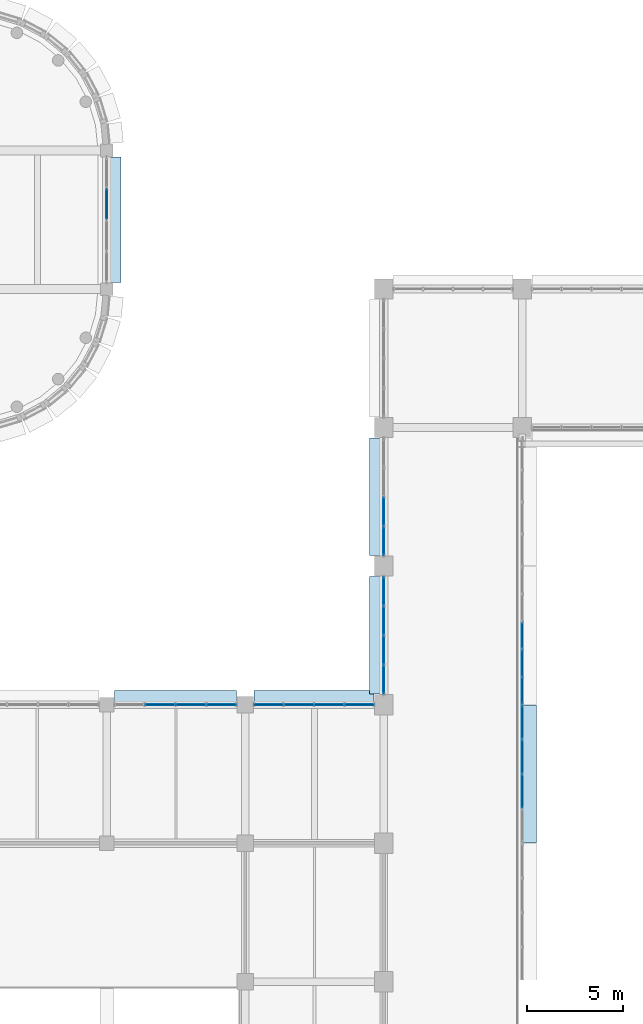
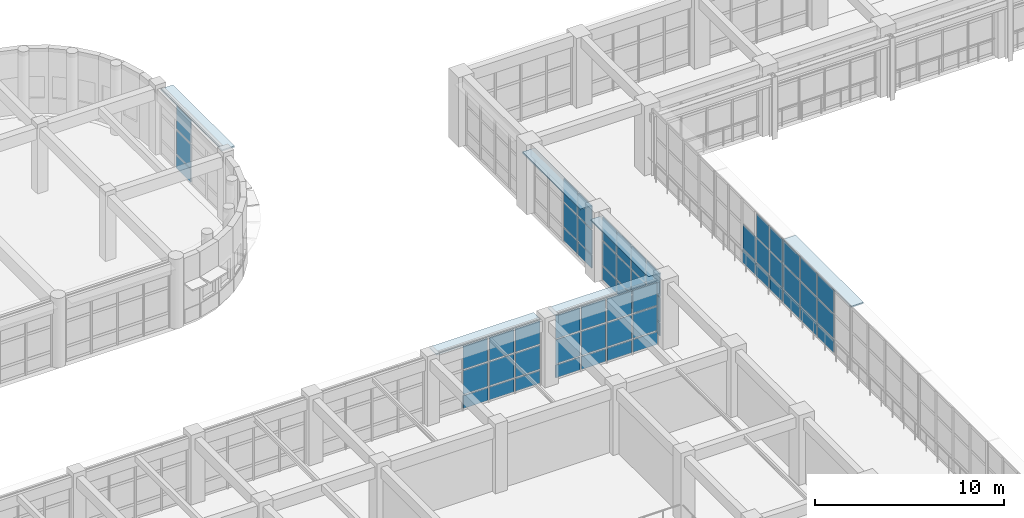
# One storey, part 126 of 171: 65 plates, 7 elements without a shape of their own.
"""IFC4 building model written with IfcOpenShell, lengths in metres."""

from ifc_helpers import new_model, si_unit, direction, frame, origin, origin_2d, place, context, subcontext, project, spatial, rectangle, extrude, material, layer, layer_set, type_object, element, aggregate, save


model = new_model("IFC4")

# Units and contexts
model_context = context("Model", 3, precision=1e-05, world=origin(), true_north=direction((0.0, 1.0)))
body_context = subcontext(model_context, "Body", "Model", "MODEL_VIEW")
ifc_project = project(units=[si_unit("LENGTHUNIT", "METRE"), si_unit("AREAUNIT", "SQUARE_METRE"), si_unit("VOLUMEUNIT", "CUBIC_METRE"), si_unit("PLANEANGLEUNIT", "RADIAN"), si_unit("MASSUNIT", "GRAM", prefix="KILO")], contexts=[model_context])

# Site, building, storey
site_placement = place(None, origin())
site = spatial("IfcSite", under=ifc_project, at=site_placement, CompositionType="ELEMENT")
building_placement = place(site_placement, origin())
building = spatial("IfcBuilding", under=site, at=building_placement, Name="Thalmaran Polytechnic", CompositionType="ELEMENT")
storey_placement = place(building_placement, frame((0.0, 0.0, 5.39990234375)))
storey = spatial("IfcBuildingStorey", under=building, at=storey_placement, Name="L01", CompositionType="ELEMENT", Elevation=5.39990234375)

# Plates
ifc_material_1 = material(Name="Anodised aluminium sun-hood eyebrow", Category="aluminium")
ifc_layer_1 = layer(ifc_material_1, 0.0849609375, Name="Anodised aluminium sun-hood eyebrow")
ifc_layer_set_1 = layer_set([ifc_layer_1], Name="Anodised aluminium sun-hood eyebrow")
plate_type_1 = type_object("IfcPlateType", Name="PT-EB01", PredefinedType="SHEET", material=ifc_layer_set_1)
plate_1_placement = place(storey_placement, frame((115.56005859375, 32.39990234375, 4.107666015625), z_axis=(0.0, 0.0, 1.0), x_axis=(0.0, -1.0, 0.0)))
element("IfcPlate", 1, at=plate_1_placement, inside=storey, type_object=plate_type_1, Name="Streamline Sun-Hood Eyebrow L01-CW107", PredefinedType="SHEET", context=body_context, shape_type="SweptSolid", body=[
    extrude(rectangle(XDim=7.159912109375, YDim=0.760009765625, at=origin_2d()), origin(), (0.0, 0.0, 1.0), 0.0849609375),
])
plate_2_placement = place(storey_placement, frame((93.9599609375, 61.199951171875, 4.107666015625), z_axis=(0.0, 0.0, 1.0), x_axis=(0.0, -1.0, 0.0)))
element("IfcPlate", 2, at=plate_2_placement, inside=storey, type_object=plate_type_1, Name="Streamline Sun-Hood Eyebrow L01-CW148", PredefinedType="SHEET", context=body_context, shape_type="SweptSolid", body=[
    extrude(rectangle(XDim=6.510009765625, YDim=0.760009765625, at=origin_2d()), origin(), (0.0, 0.0, 1.0), 0.0849609375),
])
plate_3_placement = place(storey_placement, frame((97.175048828125, 36.360107421875, 4.107666015625), z_axis=(0.0, 0.0, 1.0), x_axis=(1.0, 0.0, 0.0)))
element("IfcPlate", 3, at=plate_3_placement, inside=storey, type_object=plate_type_1, Name="Streamline Sun-Hood Eyebrow L01-CW172", PredefinedType="SHEET", context=body_context, shape_type="SweptSolid", body=[
    extrude(rectangle(XDim=6.360107421875, YDim=0.760009765625, at=origin_2d()), origin(), (0.0, 0.0, 1.0), 0.0849609375),
])
plate_4_placement = place(storey_placement, frame((104.375, 36.360107421875, 4.107666015625), z_axis=(0.0, 0.0, 1.0), x_axis=(1.0, 0.0, 0.0)))
element("IfcPlate", 4, at=plate_4_placement, inside=storey, type_object=plate_type_1, Name="Streamline Sun-Hood Eyebrow L01-CW173", PredefinedType="SHEET", context=body_context, shape_type="SweptSolid", body=[
    extrude(rectangle(XDim=6.260009765625, YDim=0.760009765625, at=origin_2d()), origin(), (0.0, 0.0, 1.0), 0.0849609375),
])
for number, where, z_axis, x_axis, name in (
    (5, (107.639892578125, 39.60009765625, 4.107666015625), (0.0, 0.0, 1.0), (0.0, 1.0, 0.0), "Streamline Sun-Hood Eyebrow L01-CW174"),
    (6, (107.639892578125, 46.800048828125, 4.107666015625), (0.0, 0.0, 1.0), (0.0, 1.0, 0.0), "Streamline Sun-Hood Eyebrow L01-CW175"),
):
    element("IfcPlate", number, at=place(storey_placement, frame(where, z_axis=z_axis, x_axis=x_axis)), inside=storey, type_object=plate_type_1, Name=name, PredefinedType="SHEET", context=body_context, shape_type="SweptSolid", body=[
        extrude(rectangle(XDim=6.110107421875, YDim=0.760009765625, at=origin_2d()), origin(), (0.0, 0.0, 1.0), 0.0849609375),
    ])

# Curtain wall, plates
ifc_material_2 = material(Name="Aluminium 6063-T6", Category="aluminium")
curtain_wall_type_1 = type_object("IfcCurtainWallType", Name="CW-UC02", PredefinedType="USERDEFINED", material=ifc_material_2)
curtain_wall_1_placement = place(storey_placement, origin())
curtain_wall_1 = element("IfcCurtainWall", 7, at=curtain_wall_1_placement, inside=storey, type_object=curtain_wall_type_1, Name="Curtain Wall CW-L01-175", ObjectType="UNITISED CURTAIN WALL", PredefinedType="USERDEFINED")
ifc_material_3 = material(Name="Solar-control double low-E glass", Category="glass")
ifc_layer_2 = layer(ifc_material_3, 0.035888671875, Name="Solar-control double low-E glass")
ifc_layer_set_2 = layer_set([ifc_layer_2], Name="Solar-control double low-E glass")
plate_type_2 = type_object("IfcPlateType", Name="PT-GL01", PredefinedType="CURTAIN_PANEL", material=ifc_layer_set_2)
plate_5_placement = place(storey_placement, frame((108.0, 44.49365234375, 1.000244140625), z_axis=(0.0, 0.0, 1.0), x_axis=(0.0, 1.0, 0.0)))
plate_5 = element("IfcPlate", 8, at=plate_5_placement, type_object=plate_type_2, Name="CW-L01-175 Vision Panel 1-2", PredefinedType="CURTAIN_PANEL", context=body_context, shape_type="SweptSolid", body=[
    extrude(rectangle(XDim=1.4375, YDim=0.035888671875, at=origin_2d()), origin(), (0.0, 0.0, 1.0), 1.544921875),
])
plate_6_placement = place(storey_placement, frame((108.0, 44.49365234375, 2.625), z_axis=(0.0, 0.0, 1.0), x_axis=(0.0, 1.0, 0.0)))
plate_6 = element("IfcPlate", 9, at=plate_6_placement, type_object=plate_type_2, Name="CW-L01-175 Vision Panel 1-3", PredefinedType="CURTAIN_PANEL", context=body_context, shape_type="SweptSolid", body=[
    extrude(rectangle(XDim=1.4375, YDim=0.035888671875, at=origin_2d()), origin(), (0.0, 0.0, 1.0), 1.485107421875),
])
plate_7_placement = place(storey_placement, frame((108.0, 46.03125, 1.000244140625), z_axis=(0.0, 0.0, 1.0), x_axis=(0.0, 1.0, 0.0)))
plate_7 = element("IfcPlate", 10, at=plate_7_placement, type_object=plate_type_2, Name="CW-L01-175 Vision Panel 2-2", PredefinedType="CURTAIN_PANEL", context=body_context, shape_type="SweptSolid", body=[
    extrude(rectangle(XDim=1.4375, YDim=0.035888671875, at=origin_2d()), origin(), (0.0, 0.0, 1.0), 1.544921875),
])
plate_8_placement = place(storey_placement, frame((108.0, 46.03125, 2.625), z_axis=(0.0, 0.0, 1.0), x_axis=(0.0, 1.0, 0.0)))
plate_8 = element("IfcPlate", 11, at=plate_8_placement, type_object=plate_type_2, Name="CW-L01-175 Vision Panel 2-3", PredefinedType="CURTAIN_PANEL", context=body_context, shape_type="SweptSolid", body=[
    extrude(rectangle(XDim=1.4375, YDim=0.035888671875, at=origin_2d()), origin(), (0.0, 0.0, 1.0), 1.485107421875),
])

curtain_wall_2_placement = place(storey_placement, origin())
curtain_wall_2 = element("IfcCurtainWall", 12, at=curtain_wall_2_placement, inside=storey, type_object=curtain_wall_type_1, Name="Curtain Wall CW-L01-106", ObjectType="UNITISED CURTAIN WALL", PredefinedType="USERDEFINED")
ifc_layer_3 = layer(ifc_material_3, 0.035888671875, Name="Solar-control double low-E glass")
ifc_layer_set_3 = layer_set([ifc_layer_3], Name="Solar-control double low-E glass")
plate_type_3 = type_object("IfcPlateType", Name="PT-GL02", PredefinedType="CURTAIN_PANEL", material=ifc_layer_set_3)
plate_9_placement = place(storey_placement, frame((115.199951171875, 39.60009765625, 1.000244140625), z_axis=(0.0, 0.0, 1.0), x_axis=(0.0, -1.0, 0.0)))
plate_9 = element("IfcPlate", 13, at=plate_9_placement, type_object=plate_type_3, Name="CW-L01-106 Vision Panel 3-2", PredefinedType="CURTAIN_PANEL", context=body_context, shape_type="SweptSolid", body=[
    extrude(rectangle(XDim=1.340087890625, YDim=0.035888671875, at=origin_2d()), origin(), (0.0, 0.0, 1.0), 1.544921875),
])
plate_10_placement = place(storey_placement, frame((115.199951171875, 38.159912109375, 1.000244140625), z_axis=(0.0, 0.0, 1.0), x_axis=(0.0, -1.0, 0.0)))
plate_10 = element("IfcPlate", 14, at=plate_10_placement, type_object=plate_type_3, Name="CW-L01-106 Vision Panel 4-2", PredefinedType="CURTAIN_PANEL", context=body_context, shape_type="SweptSolid", body=[
    extrude(rectangle(XDim=1.340087890625, YDim=0.035888671875, at=origin_2d()), origin(), (0.0, 0.0, 1.0), 1.544921875),
])
plate_11_placement = place(storey_placement, frame((115.199951171875, 38.159912109375, 2.625), z_axis=(0.0, 0.0, 1.0), x_axis=(0.0, -1.0, 0.0)))
plate_11 = element("IfcPlate", 15, at=plate_11_placement, type_object=plate_type_3, Name="CW-L01-106 Vision Panel 4-3", PredefinedType="CURTAIN_PANEL", context=body_context, shape_type="SweptSolid", body=[
    extrude(rectangle(XDim=1.340087890625, YDim=0.035888671875, at=origin_2d()), origin(), (0.0, 0.0, 1.0), 1.485107421875),
])
plate_12_placement = place(storey_placement, frame((115.199951171875, 36.719970703125, 1.000244140625), z_axis=(0.0, 0.0, 1.0), x_axis=(0.0, -1.0, 0.0)))
plate_12 = element("IfcPlate", 16, at=plate_12_placement, type_object=plate_type_3, Name="CW-L01-106 Vision Panel 5-2", PredefinedType="CURTAIN_PANEL", context=body_context, shape_type="SweptSolid", body=[
    extrude(rectangle(XDim=1.340087890625, YDim=0.035888671875, at=origin_2d()), origin(), (0.0, 0.0, 1.0), 1.544921875),
])
plate_13_placement = place(storey_placement, frame((115.199951171875, 36.719970703125, 2.625), z_axis=(0.0, 0.0, 1.0), x_axis=(0.0, -1.0, 0.0)))
plate_13 = element("IfcPlate", 17, at=plate_13_placement, type_object=plate_type_3, Name="CW-L01-106 Vision Panel 5-3", PredefinedType="CURTAIN_PANEL", context=body_context, shape_type="SweptSolid", body=[
    extrude(rectangle(XDim=1.340087890625, YDim=0.035888671875, at=origin_2d()), origin(), (0.0, 0.0, 1.0), 1.485107421875),
])

curtain_wall_3_placement = place(storey_placement, origin())
curtain_wall_3 = element("IfcCurtainWall", 18, at=curtain_wall_3_placement, inside=storey, type_object=curtain_wall_type_1, Name="Curtain Wall CW-L01-107", ObjectType="UNITISED CURTAIN WALL", PredefinedType="USERDEFINED")
ifc_layer_4 = layer(ifc_material_3, 0.035888671875, Name="Solar-control double low-E glass")
ifc_layer_set_4 = layer_set([ifc_layer_4], Name="Solar-control double low-E glass")
plate_type_4 = type_object("IfcPlateType", Name="PT-GL03", PredefinedType="CURTAIN_PANEL", material=ifc_layer_set_4)
plate_14_placement = place(storey_placement, frame((115.199951171875, 35.10009765625, 1.000244140625), z_axis=(0.0, 0.0, 1.0), x_axis=(0.0, -1.0, 0.0)))
plate_14 = element("IfcPlate", 19, at=plate_14_placement, type_object=plate_type_4, Name="CW-L01-107 Vision Panel 1-2", PredefinedType="CURTAIN_PANEL", context=body_context, shape_type="SweptSolid", body=[
    extrude(rectangle(XDim=1.699951171875, YDim=0.035888671875, at=origin_2d()), origin(), (0.0, 0.0, 1.0), 1.544921875),
])
plate_15_placement = place(storey_placement, frame((115.199951171875, 35.10009765625, 2.625), z_axis=(0.0, 0.0, 1.0), x_axis=(0.0, -1.0, 0.0)))
plate_15 = element("IfcPlate", 20, at=plate_15_placement, type_object=plate_type_4, Name="CW-L01-107 Vision Panel 1-3", PredefinedType="CURTAIN_PANEL", context=body_context, shape_type="SweptSolid", body=[
    extrude(rectangle(XDim=1.699951171875, YDim=0.035888671875, at=origin_2d()), origin(), (0.0, 0.0, 1.0), 1.485107421875),
])
plate_16_placement = place(storey_placement, frame((115.199951171875, 33.300048828125, 1.000244140625), z_axis=(0.0, 0.0, 1.0), x_axis=(0.0, -1.0, 0.0)))
plate_16 = element("IfcPlate", 21, at=plate_16_placement, type_object=plate_type_4, Name="CW-L01-107 Vision Panel 2-2", PredefinedType="CURTAIN_PANEL", context=body_context, shape_type="SweptSolid", body=[
    extrude(rectangle(XDim=1.699951171875, YDim=0.035888671875, at=origin_2d()), origin(), (0.0, 0.0, 1.0), 1.544921875),
])
plate_17_placement = place(storey_placement, frame((115.199951171875, 33.300048828125, 2.625), z_axis=(0.0, 0.0, 1.0), x_axis=(0.0, -1.0, 0.0)))
plate_17 = element("IfcPlate", 22, at=plate_17_placement, type_object=plate_type_4, Name="CW-L01-107 Vision Panel 2-3", PredefinedType="CURTAIN_PANEL", context=body_context, shape_type="SweptSolid", body=[
    extrude(rectangle(XDim=1.699951171875, YDim=0.035888671875, at=origin_2d()), origin(), (0.0, 0.0, 1.0), 1.485107421875),
])
plate_18_placement = place(storey_placement, frame((115.199951171875, 31.5, 1.000244140625), z_axis=(0.0, 0.0, 1.0), x_axis=(0.0, -1.0, 0.0)))
plate_18 = element("IfcPlate", 23, at=plate_18_placement, type_object=plate_type_4, Name="CW-L01-107 Vision Panel 3-2", PredefinedType="CURTAIN_PANEL", context=body_context, shape_type="SweptSolid", body=[
    extrude(rectangle(XDim=1.699951171875, YDim=0.035888671875, at=origin_2d()), origin(), (0.0, 0.0, 1.0), 1.544921875),
])
plate_19_placement = place(storey_placement, frame((115.199951171875, 31.5, 2.625), z_axis=(0.0, 0.0, 1.0), x_axis=(0.0, -1.0, 0.0)))
plate_19 = element("IfcPlate", 24, at=plate_19_placement, type_object=plate_type_4, Name="CW-L01-107 Vision Panel 3-3", PredefinedType="CURTAIN_PANEL", context=body_context, shape_type="SweptSolid", body=[
    extrude(rectangle(XDim=1.699951171875, YDim=0.035888671875, at=origin_2d()), origin(), (0.0, 0.0, 1.0), 1.485107421875),
])

curtain_wall_4_placement = place(storey_placement, origin())
curtain_wall_4 = element("IfcCurtainWall", 25, at=curtain_wall_4_placement, inside=storey, type_object=curtain_wall_type_1, Name="Curtain Wall CW-L01-172", ObjectType="UNITISED CURTAIN WALL", PredefinedType="USERDEFINED")
plate_20_placement = place(storey_placement, frame((96.375, 36.0, 1.000244140625), z_axis=(0.0, 0.0, 1.0), x_axis=(1.0, 0.0, 0.0)))
plate_20 = element("IfcPlate", 26, at=plate_20_placement, type_object=plate_type_4, Name="CW-L01-172 Vision Panel 2-2", PredefinedType="CURTAIN_PANEL", context=body_context, shape_type="SweptSolid", body=[
    extrude(rectangle(XDim=1.5, YDim=0.035888671875, at=origin_2d()), origin(), (0.0, 0.0, 1.0), 1.544921875),
])
plate_21_placement = place(storey_placement, frame((96.375, 36.0, 2.625), z_axis=(0.0, 0.0, 1.0), x_axis=(1.0, 0.0, 0.0)))
plate_21 = element("IfcPlate", 27, at=plate_21_placement, type_object=plate_type_4, Name="CW-L01-172 Vision Panel 2-3", PredefinedType="CURTAIN_PANEL", context=body_context, shape_type="SweptSolid", body=[
    extrude(rectangle(XDim=1.5, YDim=0.035888671875, at=origin_2d()), origin(), (0.0, 0.0, 1.0), 1.485107421875),
])
plate_22_placement = place(storey_placement, frame((97.97509765625, 36.0, 1.000244140625), z_axis=(0.0, 0.0, 1.0), x_axis=(1.0, 0.0, 0.0)))
plate_22 = element("IfcPlate", 28, at=plate_22_placement, type_object=plate_type_4, Name="CW-L01-172 Vision Panel 3-2", PredefinedType="CURTAIN_PANEL", context=body_context, shape_type="SweptSolid", body=[
    extrude(rectangle(XDim=1.5, YDim=0.035888671875, at=origin_2d()), origin(), (0.0, 0.0, 1.0), 1.544921875),
])
plate_23_placement = place(storey_placement, frame((97.97509765625, 36.0, 2.625), z_axis=(0.0, 0.0, 1.0), x_axis=(1.0, 0.0, 0.0)))
plate_23 = element("IfcPlate", 29, at=plate_23_placement, type_object=plate_type_4, Name="CW-L01-172 Vision Panel 3-3", PredefinedType="CURTAIN_PANEL", context=body_context, shape_type="SweptSolid", body=[
    extrude(rectangle(XDim=1.5, YDim=0.035888671875, at=origin_2d()), origin(), (0.0, 0.0, 1.0), 1.485107421875),
])
plate_24_placement = place(storey_placement, frame((99.574951171875, 36.0, 1.000244140625), z_axis=(0.0, 0.0, 1.0), x_axis=(1.0, 0.0, 0.0)))
plate_24 = element("IfcPlate", 30, at=plate_24_placement, type_object=plate_type_4, Name="CW-L01-172 Vision Panel 4-2", PredefinedType="CURTAIN_PANEL", context=body_context, shape_type="SweptSolid", body=[
    extrude(rectangle(XDim=1.5, YDim=0.035888671875, at=origin_2d()), origin(), (0.0, 0.0, 1.0), 1.544921875),
])
plate_25_placement = place(storey_placement, frame((99.574951171875, 36.0, 2.625), z_axis=(0.0, 0.0, 1.0), x_axis=(1.0, 0.0, 0.0)))
plate_25 = element("IfcPlate", 31, at=plate_25_placement, type_object=plate_type_4, Name="CW-L01-172 Vision Panel 4-3", PredefinedType="CURTAIN_PANEL", context=body_context, shape_type="SweptSolid", body=[
    extrude(rectangle(XDim=1.5, YDim=0.035888671875, at=origin_2d()), origin(), (0.0, 0.0, 1.0), 1.485107421875),
])

curtain_wall_type_2 = type_object("IfcCurtainWallType", Name="CW-SC01", PredefinedType="USERDEFINED", material=ifc_material_2)
curtain_wall_5_placement = place(storey_placement, origin())
curtain_wall_5 = element("IfcCurtainWall", 32, at=curtain_wall_5_placement, inside=storey, type_object=curtain_wall_type_2, Name="Curtain Wall CW-L01-148", ObjectType="STICK CURTAIN WALL", PredefinedType="USERDEFINED")
ifc_layer_5 = layer(ifc_material_3, 0.035888671875, Name="Solar-control double low-E glass")
ifc_layer_set_5 = layer_set([ifc_layer_5], Name="Solar-control double low-E glass")
plate_type_5 = type_object("IfcPlateType", Name="PT-GL04", PredefinedType="CURTAIN_PANEL", material=ifc_layer_set_5)
plate_26_placement = place(storey_placement, frame((93.60009765625, 62.018798828125, 1.000244140625), z_axis=(0.0, 0.0, 1.0), x_axis=(0.0, -1.0, 0.0)))
plate_26 = element("IfcPlate", 33, at=plate_26_placement, type_object=plate_type_5, Name="CW-L01-148 Vision Panel 2-2", PredefinedType="CURTAIN_PANEL", context=body_context, shape_type="SweptSolid", body=[
    extrude(rectangle(XDim=1.53759765625, YDim=0.035888671875, at=origin_2d()), origin(), (0.0, 0.0, 1.0), 1.544921875),
])
plate_27_placement = place(storey_placement, frame((93.60009765625, 62.018798828125, 2.625), z_axis=(0.0, 0.0, 1.0), x_axis=(0.0, -1.0, 0.0)))
plate_27 = element("IfcPlate", 34, at=plate_27_placement, type_object=plate_type_5, Name="CW-L01-148 Vision Panel 2-3", PredefinedType="CURTAIN_PANEL", context=body_context, shape_type="SweptSolid", body=[
    extrude(rectangle(XDim=1.53759765625, YDim=0.035888671875, at=origin_2d()), origin(), (0.0, 0.0, 1.0), 1.485107421875),
])

curtain_wall_6_placement = place(storey_placement, origin())
curtain_wall_6 = element("IfcCurtainWall", 35, at=curtain_wall_6_placement, inside=storey, type_object=curtain_wall_type_1, Name="Curtain Wall CW-L01-173", ObjectType="UNITISED CURTAIN WALL", PredefinedType="USERDEFINED")
plate_28_placement = place(storey_placement, frame((102.012451171875, 36.0, 1.000244140625), z_axis=(0.0, 0.0, 1.0), x_axis=(1.0, 0.0, 0.0)))
plate_28 = element("IfcPlate", 36, at=plate_28_placement, type_object=plate_type_5, Name="CW-L01-173 Vision Panel 1-2", PredefinedType="CURTAIN_PANEL", context=body_context, shape_type="SweptSolid", body=[
    extrude(rectangle(XDim=1.47509765625, YDim=0.035888671875, at=origin_2d()), origin(), (0.0, 0.0, 1.0), 1.544921875),
])
plate_29_placement = place(storey_placement, frame((102.012451171875, 36.0, 2.625), z_axis=(0.0, 0.0, 1.0), x_axis=(1.0, 0.0, 0.0)))
plate_29 = element("IfcPlate", 37, at=plate_29_placement, type_object=plate_type_5, Name="CW-L01-173 Vision Panel 1-3", PredefinedType="CURTAIN_PANEL", context=body_context, shape_type="SweptSolid", body=[
    extrude(rectangle(XDim=1.47509765625, YDim=0.035888671875, at=origin_2d()), origin(), (0.0, 0.0, 1.0), 1.485107421875),
])
plate_30_placement = place(storey_placement, frame((103.58740234375, 36.0, 1.000244140625), z_axis=(0.0, 0.0, 1.0), x_axis=(1.0, 0.0, 0.0)))
plate_30 = element("IfcPlate", 38, at=plate_30_placement, type_object=plate_type_5, Name="CW-L01-173 Vision Panel 2-2", PredefinedType="CURTAIN_PANEL", context=body_context, shape_type="SweptSolid", body=[
    extrude(rectangle(XDim=1.47509765625, YDim=0.035888671875, at=origin_2d()), origin(), (0.0, 0.0, 1.0), 1.544921875),
])
plate_31_placement = place(storey_placement, frame((103.58740234375, 36.0, 2.625), z_axis=(0.0, 0.0, 1.0), x_axis=(1.0, 0.0, 0.0)))
plate_31 = element("IfcPlate", 39, at=plate_31_placement, type_object=plate_type_5, Name="CW-L01-173 Vision Panel 2-3", PredefinedType="CURTAIN_PANEL", context=body_context, shape_type="SweptSolid", body=[
    extrude(rectangle(XDim=1.47509765625, YDim=0.035888671875, at=origin_2d()), origin(), (0.0, 0.0, 1.0), 1.485107421875),
])
plate_32_placement = place(storey_placement, frame((105.16259765625, 36.0, 1.000244140625), z_axis=(0.0, 0.0, 1.0), x_axis=(1.0, 0.0, 0.0)))
plate_32 = element("IfcPlate", 40, at=plate_32_placement, type_object=plate_type_5, Name="CW-L01-173 Vision Panel 3-2", PredefinedType="CURTAIN_PANEL", context=body_context, shape_type="SweptSolid", body=[
    extrude(rectangle(XDim=1.47509765625, YDim=0.035888671875, at=origin_2d()), origin(), (0.0, 0.0, 1.0), 1.544921875),
])
plate_33_placement = place(storey_placement, frame((105.16259765625, 36.0, 2.625), z_axis=(0.0, 0.0, 1.0), x_axis=(1.0, 0.0, 0.0)))
plate_33 = element("IfcPlate", 41, at=plate_33_placement, type_object=plate_type_5, Name="CW-L01-173 Vision Panel 3-3", PredefinedType="CURTAIN_PANEL", context=body_context, shape_type="SweptSolid", body=[
    extrude(rectangle(XDim=1.47509765625, YDim=0.035888671875, at=origin_2d()), origin(), (0.0, 0.0, 1.0), 1.485107421875),
])
plate_34_placement = place(storey_placement, frame((106.737548828125, 36.0, 1.000244140625), z_axis=(0.0, 0.0, 1.0), x_axis=(1.0, 0.0, 0.0)))
plate_34 = element("IfcPlate", 42, at=plate_34_placement, type_object=plate_type_5, Name="CW-L01-173 Vision Panel 4-2", PredefinedType="CURTAIN_PANEL", context=body_context, shape_type="SweptSolid", body=[
    extrude(rectangle(XDim=1.47509765625, YDim=0.035888671875, at=origin_2d()), origin(), (0.0, 0.0, 1.0), 1.544921875),
])
plate_35_placement = place(storey_placement, frame((106.737548828125, 36.0, 2.625), z_axis=(0.0, 0.0, 1.0), x_axis=(1.0, 0.0, 0.0)))
plate_35 = element("IfcPlate", 43, at=plate_35_placement, type_object=plate_type_5, Name="CW-L01-173 Vision Panel 4-3", PredefinedType="CURTAIN_PANEL", context=body_context, shape_type="SweptSolid", body=[
    extrude(rectangle(XDim=1.47509765625, YDim=0.035888671875, at=origin_2d()), origin(), (0.0, 0.0, 1.0), 1.485107421875),
])

curtain_wall_7_placement = place(storey_placement, origin())
curtain_wall_7 = element("IfcCurtainWall", 44, at=curtain_wall_7_placement, inside=storey, type_object=curtain_wall_type_1, Name="Curtain Wall CW-L01-174", ObjectType="UNITISED CURTAIN WALL", PredefinedType="USERDEFINED")
ifc_layer_6 = layer(ifc_material_3, 0.035888671875, Name="Solar-control double low-E glass")
ifc_layer_set_6 = layer_set([ifc_layer_6], Name="Solar-control double low-E glass")
plate_type_6 = type_object("IfcPlateType", Name="PT-GL05", PredefinedType="CURTAIN_PANEL", material=ifc_layer_set_6)
plate_36_placement = place(storey_placement, frame((108.0, 37.293701171875, 1.000244140625), z_axis=(0.0, 0.0, 1.0), x_axis=(0.0, 1.0, 0.0)))
plate_36 = element("IfcPlate", 45, at=plate_36_placement, type_object=plate_type_6, Name="CW-L01-174 Vision Panel 1-2", PredefinedType="CURTAIN_PANEL", context=body_context, shape_type="SweptSolid", body=[
    extrude(rectangle(XDim=1.4375, YDim=0.035888671875, at=origin_2d()), origin(), (0.0, 0.0, 1.0), 1.544921875),
])
plate_37_placement = place(storey_placement, frame((108.0, 37.293701171875, 2.625), z_axis=(0.0, 0.0, 1.0), x_axis=(0.0, 1.0, 0.0)))
plate_37 = element("IfcPlate", 46, at=plate_37_placement, type_object=plate_type_6, Name="CW-L01-174 Vision Panel 1-3", PredefinedType="CURTAIN_PANEL", context=body_context, shape_type="SweptSolid", body=[
    extrude(rectangle(XDim=1.4375, YDim=0.035888671875, at=origin_2d()), origin(), (0.0, 0.0, 1.0), 1.485107421875),
])
plate_38_placement = place(storey_placement, frame((108.0, 38.831298828125, 1.000244140625), z_axis=(0.0, 0.0, 1.0), x_axis=(0.0, 1.0, 0.0)))
plate_38 = element("IfcPlate", 47, at=plate_38_placement, type_object=plate_type_6, Name="CW-L01-174 Vision Panel 2-2", PredefinedType="CURTAIN_PANEL", context=body_context, shape_type="SweptSolid", body=[
    extrude(rectangle(XDim=1.4375, YDim=0.035888671875, at=origin_2d()), origin(), (0.0, 0.0, 1.0), 1.544921875),
])
plate_39_placement = place(storey_placement, frame((108.0, 38.831298828125, 2.625), z_axis=(0.0, 0.0, 1.0), x_axis=(0.0, 1.0, 0.0)))
plate_39 = element("IfcPlate", 48, at=plate_39_placement, type_object=plate_type_6, Name="CW-L01-174 Vision Panel 2-3", PredefinedType="CURTAIN_PANEL", context=body_context, shape_type="SweptSolid", body=[
    extrude(rectangle(XDim=1.4375, YDim=0.035888671875, at=origin_2d()), origin(), (0.0, 0.0, 1.0), 1.485107421875),
])
plate_40_placement = place(storey_placement, frame((108.0, 40.36865234375, 1.000244140625), z_axis=(0.0, 0.0, 1.0), x_axis=(0.0, 1.0, 0.0)))
plate_40 = element("IfcPlate", 49, at=plate_40_placement, type_object=plate_type_6, Name="CW-L01-174 Vision Panel 3-2", PredefinedType="CURTAIN_PANEL", context=body_context, shape_type="SweptSolid", body=[
    extrude(rectangle(XDim=1.4375, YDim=0.035888671875, at=origin_2d()), origin(), (0.0, 0.0, 1.0), 1.544921875),
])
plate_41_placement = place(storey_placement, frame((108.0, 40.36865234375, 2.625), z_axis=(0.0, 0.0, 1.0), x_axis=(0.0, 1.0, 0.0)))
plate_41 = element("IfcPlate", 50, at=plate_41_placement, type_object=plate_type_6, Name="CW-L01-174 Vision Panel 3-3", PredefinedType="CURTAIN_PANEL", context=body_context, shape_type="SweptSolid", body=[
    extrude(rectangle(XDim=1.4375, YDim=0.035888671875, at=origin_2d()), origin(), (0.0, 0.0, 1.0), 1.485107421875),
])
plate_42_placement = place(storey_placement, frame((108.0, 41.90625, 1.000244140625), z_axis=(0.0, 0.0, 1.0), x_axis=(0.0, 1.0, 0.0)))
plate_42 = element("IfcPlate", 51, at=plate_42_placement, type_object=plate_type_6, Name="CW-L01-174 Vision Panel 4-2", PredefinedType="CURTAIN_PANEL", context=body_context, shape_type="SweptSolid", body=[
    extrude(rectangle(XDim=1.4375, YDim=0.035888671875, at=origin_2d()), origin(), (0.0, 0.0, 1.0), 1.544921875),
])
plate_43_placement = place(storey_placement, frame((108.0, 41.90625, 2.625), z_axis=(0.0, 0.0, 1.0), x_axis=(0.0, 1.0, 0.0)))
plate_43 = element("IfcPlate", 52, at=plate_43_placement, type_object=plate_type_6, Name="CW-L01-174 Vision Panel 4-3", PredefinedType="CURTAIN_PANEL", context=body_context, shape_type="SweptSolid", body=[
    extrude(rectangle(XDim=1.4375, YDim=0.035888671875, at=origin_2d()), origin(), (0.0, 0.0, 1.0), 1.485107421875),
])
ifc_material_4 = material(Name="Insulated anodised aluminium spandrel", Category="aluminium")
ifc_layer_7 = layer(ifc_material_4, 0.06005859375, Name="Insulated anodised aluminium spandrel")
ifc_layer_set_7 = layer_set([ifc_layer_7], Name="Insulated anodised aluminium spandrel")
plate_type_7 = type_object("IfcPlateType", Name="PT-SP01", PredefinedType="CURTAIN_PANEL", material=ifc_layer_set_7)
plate_44_placement = place(storey_placement, frame((108.0, 37.293701171875, 0.10009765625), z_axis=(0.0, 0.0, 1.0), x_axis=(0.0, 1.0, 0.0)))
plate_44 = element("IfcPlate", 53, at=plate_44_placement, type_object=plate_type_7, Name="CW-L01-174 Spandrel Panel 1-1", PredefinedType="CURTAIN_PANEL", context=body_context, shape_type="SweptSolid", body=[
    extrude(rectangle(XDim=1.4375, YDim=0.06005859375, at=origin_2d()), origin(), (0.0, 0.0, 1.0), 0.820068359375),
])
plate_45_placement = place(storey_placement, frame((108.0, 38.831298828125, 0.10009765625), z_axis=(0.0, 0.0, 1.0), x_axis=(0.0, 1.0, 0.0)))
plate_45 = element("IfcPlate", 54, at=plate_45_placement, type_object=plate_type_7, Name="CW-L01-174 Spandrel Panel 2-1", PredefinedType="CURTAIN_PANEL", context=body_context, shape_type="SweptSolid", body=[
    extrude(rectangle(XDim=1.4375, YDim=0.06005859375, at=origin_2d()), origin(), (0.0, 0.0, 1.0), 0.820068359375),
])
plate_46_placement = place(storey_placement, frame((108.0, 40.36865234375, 0.10009765625), z_axis=(0.0, 0.0, 1.0), x_axis=(0.0, 1.0, 0.0)))
plate_46 = element("IfcPlate", 55, at=plate_46_placement, type_object=plate_type_7, Name="CW-L01-174 Spandrel Panel 3-1", PredefinedType="CURTAIN_PANEL", context=body_context, shape_type="SweptSolid", body=[
    extrude(rectangle(XDim=1.4375, YDim=0.06005859375, at=origin_2d()), origin(), (0.0, 0.0, 1.0), 0.820068359375),
])
plate_47_placement = place(storey_placement, frame((108.0, 41.90625, 0.10009765625), z_axis=(0.0, 0.0, 1.0), x_axis=(0.0, 1.0, 0.0)))
plate_47 = element("IfcPlate", 56, at=plate_47_placement, type_object=plate_type_7, Name="CW-L01-174 Spandrel Panel 4-1", PredefinedType="CURTAIN_PANEL", context=body_context, shape_type="SweptSolid", body=[
    extrude(rectangle(XDim=1.4375, YDim=0.06005859375, at=origin_2d()), origin(), (0.0, 0.0, 1.0), 0.820068359375),
])
aggregate(curtain_wall_7, [plate_44, plate_36, plate_37, plate_45, plate_38, plate_39, plate_46, plate_40, plate_41, plate_47, plate_42, plate_43])

# Plate
ifc_layer_8 = layer(ifc_material_4, 0.06005859375, Name="Insulated anodised aluminium spandrel")
ifc_layer_set_8 = layer_set([ifc_layer_8], Name="Insulated anodised aluminium spandrel")
plate_type_8 = type_object("IfcPlateType", Name="PT-SP02", PredefinedType="CURTAIN_PANEL", material=ifc_layer_set_8)
plate_48_placement = place(storey_placement, frame((115.199951171875, 39.60009765625, 0.10009765625), z_axis=(0.0, 0.0, 1.0), x_axis=(0.0, -1.0, 0.0)))
plate_48 = element("IfcPlate", 57, at=plate_48_placement, type_object=plate_type_8, Name="CW-L01-106 Spandrel Panel 3-1", PredefinedType="CURTAIN_PANEL", context=body_context, shape_type="SweptSolid", body=[
    extrude(rectangle(XDim=1.340087890625, YDim=0.06005859375, at=origin_2d()), origin(), (0.0, 0.0, 1.0), 0.820068359375),
])

plate_49_placement = place(storey_placement, frame((115.199951171875, 38.159912109375, 0.10009765625), z_axis=(0.0, 0.0, 1.0), x_axis=(0.0, -1.0, 0.0)))
plate_49 = element("IfcPlate", 58, at=plate_49_placement, type_object=plate_type_8, Name="CW-L01-106 Spandrel Panel 4-1", PredefinedType="CURTAIN_PANEL", context=body_context, shape_type="SweptSolid", body=[
    extrude(rectangle(XDim=1.340087890625, YDim=0.06005859375, at=origin_2d()), origin(), (0.0, 0.0, 1.0), 0.820068359375),
])

plate_50_placement = place(storey_placement, frame((115.199951171875, 36.719970703125, 0.10009765625), z_axis=(0.0, 0.0, 1.0), x_axis=(0.0, -1.0, 0.0)))
plate_50 = element("IfcPlate", 59, at=plate_50_placement, type_object=plate_type_8, Name="CW-L01-106 Spandrel Panel 5-1", PredefinedType="CURTAIN_PANEL", context=body_context, shape_type="SweptSolid", body=[
    extrude(rectangle(XDim=1.340087890625, YDim=0.06005859375, at=origin_2d()), origin(), (0.0, 0.0, 1.0), 0.820068359375),
])

aggregate(curtain_wall_2, [plate_48, plate_9, plate_49, plate_10, plate_11, plate_50, plate_12, plate_13])

plate_51_placement = place(storey_placement, frame((93.60009765625, 62.018798828125, 0.10009765625), z_axis=(0.0, 0.0, 1.0), x_axis=(0.0, -1.0, 0.0)))
plate_51 = element("IfcPlate", 60, at=plate_51_placement, type_object=plate_type_8, Name="CW-L01-148 Spandrel Panel 2-1", PredefinedType="CURTAIN_PANEL", context=body_context, shape_type="SweptSolid", body=[
    extrude(rectangle(XDim=1.53759765625, YDim=0.06005859375, at=origin_2d()), origin(), (0.0, 0.0, 1.0), 0.820068359375),
])

aggregate(curtain_wall_5, [plate_51, plate_26, plate_27])

plate_52_placement = place(storey_placement, frame((96.375, 36.0, 0.10009765625), z_axis=(0.0, 0.0, 1.0), x_axis=(1.0, 0.0, 0.0)))
plate_52 = element("IfcPlate", 61, at=plate_52_placement, type_object=plate_type_8, Name="CW-L01-172 Spandrel Panel 2-1", PredefinedType="CURTAIN_PANEL", context=body_context, shape_type="SweptSolid", body=[
    extrude(rectangle(XDim=1.5, YDim=0.06005859375, at=origin_2d()), origin(), (0.0, 0.0, 1.0), 0.820068359375),
])

plate_53_placement = place(storey_placement, frame((97.97509765625, 36.0, 0.10009765625), z_axis=(0.0, 0.0, 1.0), x_axis=(1.0, 0.0, 0.0)))
plate_53 = element("IfcPlate", 62, at=plate_53_placement, type_object=plate_type_8, Name="CW-L01-172 Spandrel Panel 3-1", PredefinedType="CURTAIN_PANEL", context=body_context, shape_type="SweptSolid", body=[
    extrude(rectangle(XDim=1.5, YDim=0.06005859375, at=origin_2d()), origin(), (0.0, 0.0, 1.0), 0.820068359375),
])

plate_54_placement = place(storey_placement, frame((99.574951171875, 36.0, 0.10009765625), z_axis=(0.0, 0.0, 1.0), x_axis=(1.0, 0.0, 0.0)))
plate_54 = element("IfcPlate", 63, at=plate_54_placement, type_object=plate_type_8, Name="CW-L01-172 Spandrel Panel 4-1", PredefinedType="CURTAIN_PANEL", context=body_context, shape_type="SweptSolid", body=[
    extrude(rectangle(XDim=1.5, YDim=0.06005859375, at=origin_2d()), origin(), (0.0, 0.0, 1.0), 0.820068359375),
])

aggregate(curtain_wall_4, [plate_52, plate_20, plate_21, plate_53, plate_22, plate_23, plate_54, plate_24, plate_25])

plate_55_placement = place(storey_placement, frame((108.0, 44.49365234375, 0.10009765625), z_axis=(0.0, 0.0, 1.0), x_axis=(0.0, 1.0, 0.0)))
plate_55 = element("IfcPlate", 64, at=plate_55_placement, type_object=plate_type_8, Name="CW-L01-175 Spandrel Panel 1-1", PredefinedType="CURTAIN_PANEL", context=body_context, shape_type="SweptSolid", body=[
    extrude(rectangle(XDim=1.4375, YDim=0.06005859375, at=origin_2d()), origin(), (0.0, 0.0, 1.0), 0.820068359375),
])

plate_56_placement = place(storey_placement, frame((108.0, 46.03125, 0.10009765625), z_axis=(0.0, 0.0, 1.0), x_axis=(0.0, 1.0, 0.0)))
plate_56 = element("IfcPlate", 65, at=plate_56_placement, type_object=plate_type_8, Name="CW-L01-175 Spandrel Panel 2-1", PredefinedType="CURTAIN_PANEL", context=body_context, shape_type="SweptSolid", body=[
    extrude(rectangle(XDim=1.4375, YDim=0.06005859375, at=origin_2d()), origin(), (0.0, 0.0, 1.0), 0.820068359375),
])

aggregate(curtain_wall_1, [plate_55, plate_5, plate_6, plate_56, plate_7, plate_8])

ifc_layer_9 = layer(ifc_material_4, 0.06005859375, Name="Insulated anodised aluminium spandrel")
ifc_layer_set_9 = layer_set([ifc_layer_9], Name="Insulated anodised aluminium spandrel")
plate_type_9 = type_object("IfcPlateType", Name="PT-SP03", PredefinedType="CURTAIN_PANEL", material=ifc_layer_set_9)
plate_57_placement = place(storey_placement, frame((115.199951171875, 35.10009765625, 0.10009765625), z_axis=(0.0, 0.0, 1.0), x_axis=(0.0, -1.0, 0.0)))
plate_57 = element("IfcPlate", 66, at=plate_57_placement, type_object=plate_type_9, Name="CW-L01-107 Spandrel Panel 1-1", PredefinedType="CURTAIN_PANEL", context=body_context, shape_type="SweptSolid", body=[
    extrude(rectangle(XDim=1.699951171875, YDim=0.06005859375, at=origin_2d()), origin(), (0.0, 0.0, 1.0), 0.820068359375),
])

plate_58_placement = place(storey_placement, frame((115.199951171875, 33.300048828125, 0.10009765625), z_axis=(0.0, 0.0, 1.0), x_axis=(0.0, -1.0, 0.0)))
plate_58 = element("IfcPlate", 67, at=plate_58_placement, type_object=plate_type_9, Name="CW-L01-107 Spandrel Panel 2-1", PredefinedType="CURTAIN_PANEL", context=body_context, shape_type="SweptSolid", body=[
    extrude(rectangle(XDim=1.699951171875, YDim=0.06005859375, at=origin_2d()), origin(), (0.0, 0.0, 1.0), 0.820068359375),
])

plate_59_placement = place(storey_placement, frame((115.199951171875, 31.5, 0.10009765625), z_axis=(0.0, 0.0, 1.0), x_axis=(0.0, -1.0, 0.0)))
plate_59 = element("IfcPlate", 68, at=plate_59_placement, type_object=plate_type_9, Name="CW-L01-107 Spandrel Panel 3-1", PredefinedType="CURTAIN_PANEL", context=body_context, shape_type="SweptSolid", body=[
    extrude(rectangle(XDim=1.699951171875, YDim=0.06005859375, at=origin_2d()), origin(), (0.0, 0.0, 1.0), 0.820068359375),
])

aggregate(curtain_wall_3, [plate_57, plate_14, plate_15, plate_58, plate_16, plate_17, plate_59, plate_18, plate_19])

plate_60_placement = place(storey_placement, frame((102.012451171875, 36.0, 0.10009765625), z_axis=(0.0, 0.0, 1.0), x_axis=(1.0, 0.0, 0.0)))
plate_60 = element("IfcPlate", 69, at=plate_60_placement, type_object=plate_type_9, Name="CW-L01-173 Spandrel Panel 1-1", PredefinedType="CURTAIN_PANEL", context=body_context, shape_type="SweptSolid", body=[
    extrude(rectangle(XDim=1.47509765625, YDim=0.06005859375, at=origin_2d()), origin(), (0.0, 0.0, 1.0), 0.820068359375),
])

plate_61_placement = place(storey_placement, frame((103.58740234375, 36.0, 0.10009765625), z_axis=(0.0, 0.0, 1.0), x_axis=(1.0, 0.0, 0.0)))
plate_61 = element("IfcPlate", 70, at=plate_61_placement, type_object=plate_type_9, Name="CW-L01-173 Spandrel Panel 2-1", PredefinedType="CURTAIN_PANEL", context=body_context, shape_type="SweptSolid", body=[
    extrude(rectangle(XDim=1.47509765625, YDim=0.06005859375, at=origin_2d()), origin(), (0.0, 0.0, 1.0), 0.820068359375),
])

plate_62_placement = place(storey_placement, frame((105.16259765625, 36.0, 0.10009765625), z_axis=(0.0, 0.0, 1.0), x_axis=(1.0, 0.0, 0.0)))
plate_62 = element("IfcPlate", 71, at=plate_62_placement, type_object=plate_type_9, Name="CW-L01-173 Spandrel Panel 3-1", PredefinedType="CURTAIN_PANEL", context=body_context, shape_type="SweptSolid", body=[
    extrude(rectangle(XDim=1.47509765625, YDim=0.06005859375, at=origin_2d()), origin(), (0.0, 0.0, 1.0), 0.820068359375),
])

plate_63_placement = place(storey_placement, frame((106.737548828125, 36.0, 0.10009765625), z_axis=(0.0, 0.0, 1.0), x_axis=(1.0, 0.0, 0.0)))
plate_63 = element("IfcPlate", 72, at=plate_63_placement, type_object=plate_type_9, Name="CW-L01-173 Spandrel Panel 4-1", PredefinedType="CURTAIN_PANEL", context=body_context, shape_type="SweptSolid", body=[
    extrude(rectangle(XDim=1.47509765625, YDim=0.06005859375, at=origin_2d()), origin(), (0.0, 0.0, 1.0), 0.820068359375),
])

aggregate(curtain_wall_6, [plate_60, plate_28, plate_29, plate_61, plate_30, plate_31, plate_62, plate_32, plate_33, plate_63, plate_34, plate_35])

save(model, "model.ifc")
